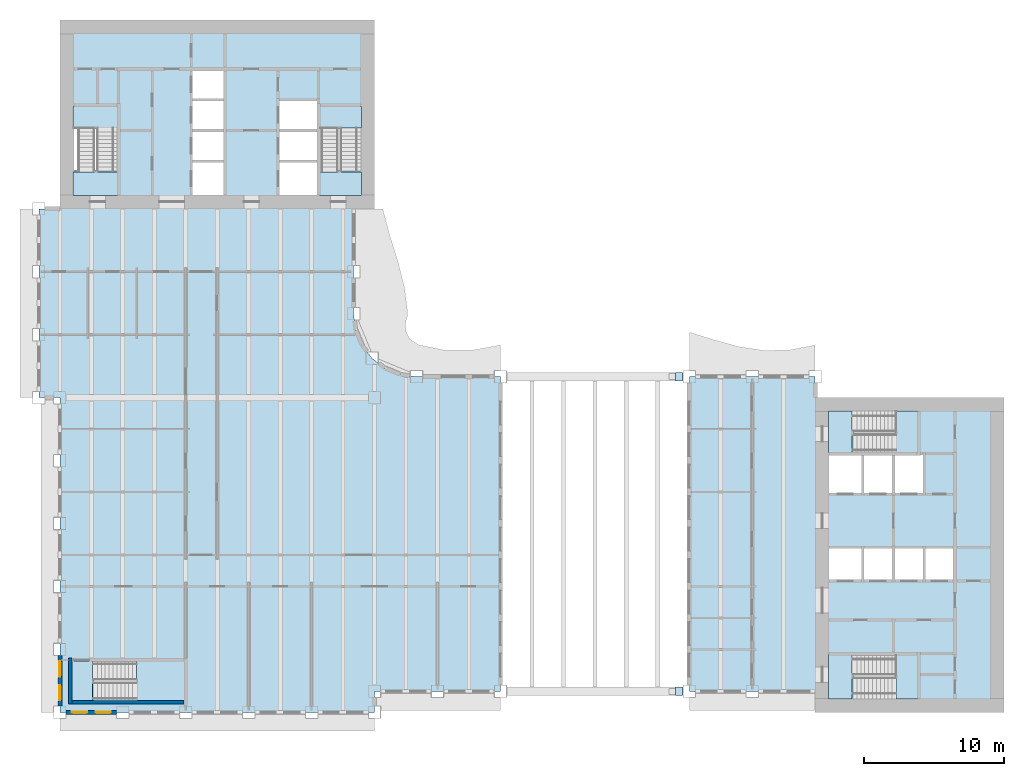
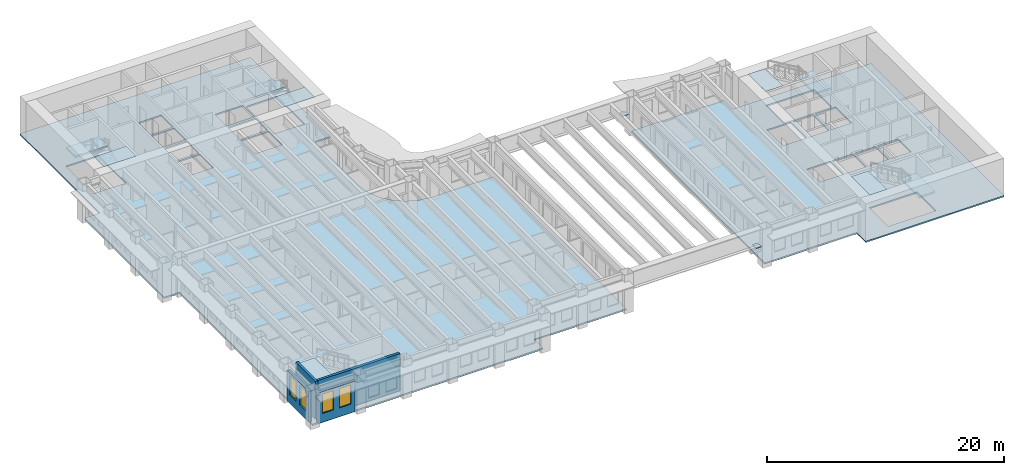
# One storey, part 2 of 13: 12 slabs, 4 walls, 4 windows, 2 plates, 4 openings, 5 elements without a shape of their own.
"""IFC4 building model written with IfcOpenShell, lengths in metres."""

from ifc_helpers import new_model, si_unit, direction, frame, frame_2d, origin, origin_2d, place, context, subcontext, project, spatial, polyline, rectangle, outline, extrude, material, layer, layer_set, type_object, element, fill, aggregate, save


model = new_model("IFC4")

# Units and contexts
model_context = context("Model", 3, precision=1e-05, world=origin(), true_north=direction((0.0, 1.0)))
body_context = subcontext(model_context, "Body", "Model", "MODEL_VIEW")
ifc_project = project(units=[si_unit("LENGTHUNIT", "METRE"), si_unit("AREAUNIT", "SQUARE_METRE"), si_unit("VOLUMEUNIT", "CUBIC_METRE"), si_unit("PLANEANGLEUNIT", "RADIAN"), si_unit("MASSUNIT", "GRAM", prefix="KILO")], contexts=[model_context])

# Site, building, storey
site_placement = place(None, origin())
site = spatial("IfcSite", under=ifc_project, at=site_placement, CompositionType="ELEMENT")
building_placement = place(site_placement, origin())
building = spatial("IfcBuilding", under=site, at=building_placement, Name="Sennacour Bend Tower", CompositionType="ELEMENT")
storey_placement = place(building_placement, frame((0.0, 0.0, 147.0)))
storey = spatial("IfcBuildingStorey", under=building, at=storey_placement, Name="L33", CompositionType="ELEMENT", Elevation=147.0)

# Plates
ifc_material_1 = material(Name="Steel ASTM A572 Grade 50", Category="steel")
ifc_layer_1 = layer(ifc_material_1, 0.0400390625, Name="Steel ASTM A572 Grade 50", Category="steel")
ifc_layer_set_1 = layer_set([ifc_layer_1], Name="Steel ASTM A572 Grade 50")
plate_type = type_object("IfcPlateType", Name="Bearing plate 500", PredefinedType="USERDEFINED", material=ifc_layer_set_1)
for number, where, z_axis, x_axis, name in (
    (1, (44.25, 1.5, 2.010009765625), (0.0, 0.0, 1.0), (1.0, 0.0, 0.0), "Bearing plate BRG1 001"),
    (2, (44.25, 24.0, 2.010009765625), (0.0, 0.0, 1.0), (1.0, 0.0, 0.0), "Bearing plate BRG1 002"),
):
    element("IfcPlate", number, at=place(storey_placement, frame(where, z_axis=z_axis, x_axis=x_axis)), inside=storey, type_object=plate_type, Name=name, ObjectType="BEARING PLATE", PredefinedType="USERDEFINED", context=body_context, shape_type="SweptSolid", body=[
        extrude(rectangle(XDim=0.5, YDim=0.60009765625, at=origin_2d()), origin(), (0.0, 0.0, 1.0), 0.0400390625),
    ])

# Slabs
ifc_material_2 = material(Name="Concrete C30/37", Category="concrete")
ifc_layer_2 = layer(ifc_material_2, 0.14990234375, Name="Concrete C30/37", Category="concrete")
ifc_layer_set_2 = layer_set([ifc_layer_2], Name="Concrete C30/37")
slab_type_1 = type_object("IfcSlabType", Name="Floor slab 150", PredefinedType="FLOOR", material=ifc_layer_set_2)
slab_1_placement = place(storey_placement, frame((0.0, 0.0, -0.14990234375)))
element("IfcSlab", 3, at=slab_1_placement, inside=storey, type_object=slab_type_1, Name="Floor slab L33-01", PredefinedType="FLOOR", context=body_context, shape_type="SweptSolid", body=[
    extrude(outline(polyline([(45.0, 24.0), (54.0, 24.0), (54.0, 22.5), (67.5, 22.5), (67.5, 0.0), (54.0, 0.0), (54.0, 1.5), (45.0, 1.5), (45.0, 24.0)]), holes=[polyline([(61.39990234375, 4.125), (56.72998046875, 4.125), (56.72998046875, 0.949951171875), (61.39990234375, 0.949951171875), (61.39990234375, 4.125)]), polyline([(57.300048828125, 11.699951171875), (55.0, 11.699951171875), (55.0, 9.5), (57.300048828125, 9.5), (57.300048828125, 11.699951171875)]), polyline([(59.5, 11.699951171875), (57.5, 11.699951171875), (57.5, 9.5), (59.5, 9.5), (59.5, 11.699951171875)]), polyline([(61.699951171875, 11.699951171875), (59.699951171875, 11.699951171875), (59.699951171875, 9.5), (61.699951171875, 9.5), (61.699951171875, 11.699951171875)]), polyline([(63.89990234375, 11.699951171875), (61.89990234375, 11.699951171875), (61.89990234375, 9.5), (63.89990234375, 9.5), (63.89990234375, 11.699951171875)]), polyline([(57.300048828125, 18.39990234375), (55.0, 18.39990234375), (55.0, 15.699951171875), (57.300048828125, 15.699951171875), (57.300048828125, 18.39990234375)]), polyline([(59.5, 18.39990234375), (57.5, 18.39990234375), (57.5, 15.699951171875), (59.5, 15.699951171875), (59.5, 18.39990234375)]), polyline([(61.699951171875, 15.699951171875), (61.699951171875, 18.39990234375), (59.699951171875, 18.39990234375), (59.699951171875, 15.699951171875), (61.699951171875, 15.699951171875)]), polyline([(61.39990234375, 18.574951171875), (61.39990234375, 21.550048828125), (56.72998046875, 21.550048828125), (56.72998046875, 18.574951171875), (61.39990234375, 18.574951171875)])]), origin(), (0.0, 0.0, 1.0), 0.14990234375),
])
slab_2_placement = place(storey_placement, frame((0.0, 0.0, -0.14990234375)))
element("IfcSlab", 4, at=slab_2_placement, inside=storey, type_object=slab_type_1, Name="Floor slab L33-02", PredefinedType="FLOOR", context=body_context, shape_type="SweptSolid", body=[
    extrude(outline(polyline([(31.5, 1.5), (22.5, 1.5), (22.5, 0.0), (0.0, 0.0), (0.0, 22.5), (-1.5, 22.5), (-1.5, 36.0), (0.0, 36.0), (0.0, 49.5), (22.5, 49.5), (22.5, 36.0), (21.0, 36.0), (21.0, 28.5), (21.1533203125, 27.335205078125), (21.602783203125, 26.25), (22.318115234375, 25.318115234375), (23.25, 24.602783203125), (24.335205078125, 24.1533203125), (25.5, 24.0), (31.5, 24.0), (31.5, 1.5)]), holes=[polyline([(8.800048828125, 3.5), (2.429931640625, 3.5), (2.429931640625, 0.949951171875), (8.800048828125, 0.949951171875), (8.800048828125, 3.5)]), polyline([(11.699951171875, 39.300048828125), (9.5, 39.300048828125), (9.5, 37.0), (11.699951171875, 37.0), (11.699951171875, 39.300048828125)]), polyline([(18.39990234375, 39.300048828125), (15.699951171875, 39.300048828125), (15.699951171875, 37.0), (18.39990234375, 37.0), (18.39990234375, 39.300048828125)]), polyline([(11.699951171875, 39.5), (11.699951171875, 41.5), (9.5, 41.5), (9.5, 39.5), (11.699951171875, 39.5)]), polyline([(18.39990234375, 39.5), (18.39990234375, 41.5), (15.699951171875, 41.5), (15.699951171875, 39.5), (18.39990234375, 39.5)]), polyline([(4.125, 43.39990234375), (0.949951171875, 43.39990234375), (0.949951171875, 38.72998046875), (4.125, 38.72998046875), (4.125, 43.39990234375)]), polyline([(21.550048828125, 43.39990234375), (18.574951171875, 43.39990234375), (18.574951171875, 38.72998046875), (21.550048828125, 38.72998046875), (21.550048828125, 43.39990234375)]), polyline([(11.699951171875, 43.699951171875), (9.5, 43.699951171875), (9.5, 41.699951171875), (11.699951171875, 41.699951171875), (11.699951171875, 43.699951171875)]), polyline([(18.39990234375, 41.699951171875), (18.39990234375, 43.699951171875), (15.699951171875, 43.699951171875), (15.699951171875, 41.699951171875), (18.39990234375, 41.699951171875)]), polyline([(11.699951171875, 43.89990234375), (11.699951171875, 45.89990234375), (9.5, 45.89990234375), (9.5, 43.89990234375), (11.699951171875, 43.89990234375)])]), origin(), (0.0, 0.0, 1.0), 0.14990234375),
])
ifc_material_3 = material(Name="Concrete C40/50", Category="concrete")
ifc_layer_3 = layer(ifc_material_3, 0.034912109375, Name="Concrete C40/50", Category="concrete")
ifc_layer_set_3 = layer_set([ifc_layer_3], Name="Concrete C40/50")
slab_type_2 = type_object("IfcSlabType", Name="Stair arrival nib 35", PredefinedType="FLOOR", material=ifc_layer_set_3)
slab_3_placement = place(storey_placement, frame((0.0, 0.0, 3.815185546875)))
element("IfcSlab", 5, at=slab_3_placement, inside=storey, type_object=slab_type_2, Name="L33 SA1 stair arrival nib", PredefinedType="FLOOR", context=body_context, shape_type="SweptSolid", body=[
    extrude(outline(polyline([(56.64208984375, 4.125), (54.949951171875, 4.125), (54.949951171875, 0.949951171875), (56.64208984375, 0.949951171875), (56.64208984375, 4.125)])), origin(), (0.0, 0.0, 1.0), 0.034912109375),
])
slab_4_placement = place(storey_placement, frame((0.0, 0.0, 3.815185546875)))
element("IfcSlab", 6, at=slab_4_placement, inside=storey, type_object=slab_type_2, Name="L33 SA2 stair arrival nib", PredefinedType="FLOOR", context=body_context, shape_type="SweptSolid", body=[
    extrude(outline(polyline([(56.64208984375, 21.550048828125), (54.949951171875, 21.550048828125), (54.949951171875, 18.574951171875), (56.64208984375, 18.574951171875), (56.64208984375, 21.550048828125)])), origin(), (0.0, 0.0, 1.0), 0.034912109375),
])
slab_5_placement = place(storey_placement, frame((0.0, 0.0, 3.815185546875)))
element("IfcSlab", 7, at=slab_5_placement, inside=storey, type_object=slab_type_2, Name="L33 SB1 stair arrival nib", PredefinedType="FLOOR", context=body_context, shape_type="SweptSolid", body=[
    extrude(outline(polyline([(0.949951171875, 38.64208984375), (0.949951171875, 36.949951171875), (4.125, 36.949951171875), (4.125, 38.64208984375), (0.949951171875, 38.64208984375)])), origin(), (0.0, 0.0, 1.0), 0.034912109375),
])
slab_6_placement = place(storey_placement, frame((0.0, 0.0, 3.815185546875)))
element("IfcSlab", 8, at=slab_6_placement, inside=storey, type_object=slab_type_2, Name="L33 SB2 stair arrival nib", PredefinedType="FLOOR", context=body_context, shape_type="SweptSolid", body=[
    extrude(outline(polyline([(18.574951171875, 38.64208984375), (18.574951171875, 36.949951171875), (21.550048828125, 36.949951171875), (21.550048828125, 38.64208984375), (18.574951171875, 38.64208984375)])), origin(), (0.0, 0.0, 1.0), 0.034912109375),
])
slab_7_placement = place(storey_placement, frame((0.0, 0.0, 3.815185546875)))
element("IfcSlab", 9, at=slab_7_placement, inside=storey, type_object=slab_type_2, Name="L33 SK1 stair arrival nib", PredefinedType="FLOOR", context=body_context, shape_type="SweptSolid", body=[
    extrude(outline(polyline([(2.342041015625, 3.675048828125), (0.800048828125, 3.675048828125), (0.800048828125, 0.800048828125), (2.342041015625, 0.800048828125), (2.342041015625, 3.675048828125)])), origin(), (0.0, 0.0, 1.0), 0.034912109375),
])

# Stair, slab
stair_type = type_object("IfcStairType", Name="ST-DOGLEG", PredefinedType="HALF_TURN_STAIR", material=ifc_material_3)
stair_1_placement = place(storey_placement, origin())
stair_1 = element("IfcStair", 10, at=stair_1_placement, inside=storey, type_object=stair_type, Name="L33 Exit stair A1", PredefinedType="HALF_TURN_STAIR")
ifc_layer_4 = layer(ifc_material_3, 0.199951171875, Name="Concrete C40/50", Category="concrete")
ifc_layer_set_4 = layer_set([ifc_layer_4], Name="Concrete C40/50")
slab_type_3 = type_object("IfcSlabType", Name="Stair landing 200", PredefinedType="LANDING", material=ifc_layer_set_4)
slab_8_placement = place(storey_placement, frame((0.0, 0.0, 1.800048828125)))
slab_8 = element("IfcSlab", 11, at=slab_8_placement, type_object=slab_type_3, Name="SA1 landing 1", PredefinedType="LANDING", context=body_context, shape_type="SweptSolid", body=[
    extrude(outline(polyline([(59.780029296875, 0.949951171875), (61.324951171875, 0.949951171875), (61.324951171875, 4.125), (59.780029296875, 4.125), (59.780029296875, 0.949951171875)])), origin(), (0.0, 0.0, 1.0), 0.199951171875),
])
aggregate(stair_1, [slab_8])

stair_2_placement = place(storey_placement, origin())
stair_2 = element("IfcStair", 12, at=stair_2_placement, inside=storey, type_object=stair_type, Name="L33 Exit stair A2", PredefinedType="HALF_TURN_STAIR")
slab_9_placement = place(storey_placement, frame((0.0, 0.0, 1.800048828125)))
slab_9 = element("IfcSlab", 13, at=slab_9_placement, type_object=slab_type_3, Name="SA2 landing 1", PredefinedType="LANDING", context=body_context, shape_type="SweptSolid", body=[
    extrude(outline(polyline([(59.780029296875, 18.574951171875), (61.324951171875, 18.574951171875), (61.324951171875, 21.550048828125), (59.780029296875, 21.550048828125), (59.780029296875, 18.574951171875)])), origin(), (0.0, 0.0, 1.0), 0.199951171875),
])
aggregate(stair_2, [slab_9])

stair_3_placement = place(storey_placement, origin())
stair_3 = element("IfcStair", 14, at=stair_3_placement, inside=storey, type_object=stair_type, Name="L33 Exit stair B1", PredefinedType="HALF_TURN_STAIR")
slab_10_placement = place(storey_placement, frame((0.0, 0.0, 1.800048828125)))
slab_10 = element("IfcSlab", 15, at=slab_10_placement, type_object=slab_type_3, Name="SB1 landing 1", PredefinedType="LANDING", context=body_context, shape_type="SweptSolid", body=[
    extrude(outline(polyline([(0.949951171875, 41.780029296875), (4.125, 41.780029296875), (4.125, 43.324951171875), (0.949951171875, 43.324951171875), (0.949951171875, 41.780029296875)])), origin(), (0.0, 0.0, 1.0), 0.199951171875),
])
aggregate(stair_3, [slab_10])

stair_4_placement = place(storey_placement, origin())
stair_4 = element("IfcStair", 16, at=stair_4_placement, inside=storey, type_object=stair_type, Name="L33 Exit stair B2", PredefinedType="HALF_TURN_STAIR")
slab_11_placement = place(storey_placement, frame((0.0, 0.0, 1.800048828125)))
slab_11 = element("IfcSlab", 17, at=slab_11_placement, type_object=slab_type_3, Name="SB2 landing 1", PredefinedType="LANDING", context=body_context, shape_type="SweptSolid", body=[
    extrude(outline(polyline([(18.574951171875, 41.780029296875), (21.550048828125, 41.780029296875), (21.550048828125, 43.324951171875), (18.574951171875, 43.324951171875), (18.574951171875, 41.780029296875)])), origin(), (0.0, 0.0, 1.0), 0.199951171875),
])
aggregate(stair_4, [slab_11])

stair_5_placement = place(storey_placement, origin())
stair_5 = element("IfcStair", 18, at=stair_5_placement, inside=storey, type_object=stair_type, Name="L33 Exit stair K1", PredefinedType="HALF_TURN_STAIR")
slab_12_placement = place(storey_placement, frame((0.0, 0.0, 1.800048828125)))
slab_12 = element("IfcSlab", 19, at=slab_12_placement, type_object=slab_type_3, Name="SK1 landing 1", PredefinedType="LANDING", context=body_context, shape_type="SweptSolid", body=[
    extrude(outline(polyline([(5.47998046875, 0.800048828125), (8.925048828125, 0.800048828125), (8.925048828125, 3.675048828125), (5.47998046875, 3.675048828125), (5.47998046875, 0.800048828125)])), origin(), (0.0, 0.0, 1.0), 0.199951171875),
])
aggregate(stair_5, [slab_12])

# Wall, openings, windows
ifc_material_4 = material(Name="Warm limestone cladding", Category="masonry")
ifc_layer_5 = layer(ifc_material_4, 0.050048828125, Name="Warm limestone cladding", Category="masonry")
ifc_material_5 = material(Name="Precast concrete C40/50", Category="concrete")
ifc_layer_6 = layer(ifc_material_5, 0.25, Name="Precast concrete C40/50", Category="concrete")
ifc_layer_set_5 = layer_set([ifc_layer_5, ifc_layer_6], Name="Precast concrete C40/50 with limestone cladding")
wall_type_1 = type_object("IfcWallType", Name="STONE-CLAD PRECAST SPANDREL 300", PredefinedType="STANDARD", material=ifc_layer_set_5)
wall_1_placement = place(storey_placement, frame((0.0, 4.050048828125, 0.0), z_axis=(0.0, 0.0, 1.0), x_axis=(0.0, -1.0, 0.0)))
wall_1 = element("IfcWall", 20, at=wall_1_placement, inside=storey, type_object=wall_type_1, Name="Stone spandrel and pier wall L33 23.04", PredefinedType="STANDARD", context=body_context, shape_type="SweptSolid", body=[
    extrude(rectangle(XDim=3.60009765625, YDim=0.300048828125, at=frame_2d((1.800048828125, 0.0))), origin(), (0.0, 0.0, 1.0), 3.14892578125),
])
opening_1_placement = place(wall_1_placement, frame((0.39990234375, 0.0, 0.89990234375)))
opening_1 = element("IfcOpeningElement", 21, at=opening_1_placement, cuts=wall_1, Name="Opening W19", PredefinedType="OPENING", context=body_context, shape_type="SweptSolid", body=[
    extrude(rectangle(XDim=1.10009765625, YDim=2.0, at=frame_2d((0.550048828125, 1.0))), frame((0.0, 0.16015625, 0.0), z_axis=(0.0, -1.0, 0.0), x_axis=(1.0, 0.0, 0.0)), (0.0, 0.0, 1.0), 0.320068359375),
])
opening_2_placement = place(wall_1_placement, frame((2.10009765625, 0.0, 0.89990234375)))
opening_2 = element("IfcOpeningElement", 22, at=opening_2_placement, cuts=wall_1, Name="Opening W19", PredefinedType="OPENING", context=body_context, shape_type="SweptSolid", body=[
    extrude(rectangle(XDim=1.10009765625, YDim=2.0, at=frame_2d((0.550048828125, 1.0))), frame((0.0, 0.16015625, 0.0), z_axis=(0.0, -1.0, 0.0), x_axis=(1.0, 0.0, 0.0)), (0.0, 0.0, 1.0), 0.320068359375),
])
ifc_material_6 = material(Name="Clear low-emissivity glass", Category="glass")
window_type = type_object("IfcWindowType", Name="WIN-RIBBON-1100x2000", PartitioningType="SINGLE_PANEL", PredefinedType="WINDOW", material=ifc_material_6)
window_1_placement = place(opening_1_placement, origin())
window_1 = element("IfcWindow", 23, at=window_1_placement, inside=storey, type_object=window_type, Name="Ribbon window L33 23.04.0", OverallHeight=2.0, OverallWidth=1.10009765625, PartitioningType="SINGLE_PANEL", PredefinedType="WINDOW", context=body_context, shape_type="SweptSolid", body=[
    extrude(rectangle(XDim=1.10009765625, YDim=2.0, at=frame_2d((0.550048828125, 1.0))), frame((0.0, 0.030029296875, 0.0), z_axis=(0.0, -1.0, 0.0), x_axis=(1.0, 0.0, 0.0)), (0.0, 0.0, 1.0), 0.06005859375),
])
fill(opening_1, window_1)
window_2_placement = place(opening_2_placement, origin())
window_2 = element("IfcWindow", 24, at=window_2_placement, inside=storey, type_object=window_type, Name="Ribbon window L33 23.04.1", OverallHeight=2.0, OverallWidth=1.10009765625, PartitioningType="SINGLE_PANEL", PredefinedType="WINDOW", context=body_context, shape_type="SweptSolid", body=[
    extrude(rectangle(XDim=1.10009765625, YDim=2.0, at=frame_2d((0.550048828125, 1.0))), frame((0.0, 0.030029296875, 0.0), z_axis=(0.0, -1.0, 0.0), x_axis=(1.0, 0.0, 0.0)), (0.0, 0.0, 1.0), 0.06005859375),
])
fill(opening_2, window_2)

wall_2_placement = place(storey_placement, frame((0.449951171875, 0.0, 0.0), z_axis=(0.0, 0.0, 1.0), x_axis=(1.0, 0.0, 0.0)))
wall_2 = element("IfcWall", 25, at=wall_2_placement, inside=storey, type_object=wall_type_1, Name="Stone spandrel and pier wall L33 24.00", PredefinedType="STANDARD", context=body_context, shape_type="SweptSolid", body=[
    extrude(rectangle(XDim=3.60009765625, YDim=0.300048828125, at=frame_2d((1.800048828125, 0.0))), origin(), (0.0, 0.0, 1.0), 3.14892578125),
])
opening_3_placement = place(wall_2_placement, frame((0.39990234375, 0.0, 0.89990234375)))
opening_3 = element("IfcOpeningElement", 26, at=opening_3_placement, cuts=wall_2, Name="Opening W19", PredefinedType="OPENING", context=body_context, shape_type="SweptSolid", body=[
    extrude(rectangle(XDim=1.10009765625, YDim=2.0, at=frame_2d((0.550048828125, 1.0))), frame((0.0, 0.16015625, 0.0), z_axis=(0.0, -1.0, 0.0), x_axis=(1.0, 0.0, 0.0)), (0.0, 0.0, 1.0), 0.320068359375),
])
opening_4_placement = place(wall_2_placement, frame((2.10009765625, 0.0, 0.89990234375)))
opening_4 = element("IfcOpeningElement", 27, at=opening_4_placement, cuts=wall_2, Name="Opening W19", PredefinedType="OPENING", context=body_context, shape_type="SweptSolid", body=[
    extrude(rectangle(XDim=1.10009765625, YDim=2.0, at=frame_2d((0.550048828125, 1.0))), frame((0.0, 0.16015625, 0.0), z_axis=(0.0, -1.0, 0.0), x_axis=(1.0, 0.0, 0.0)), (0.0, 0.0, 1.0), 0.320068359375),
])
window_3_placement = place(opening_3_placement, origin())
window_3 = element("IfcWindow", 28, at=window_3_placement, inside=storey, type_object=window_type, Name="Ribbon window L33 24.00.0", OverallHeight=2.0, OverallWidth=1.10009765625, PartitioningType="SINGLE_PANEL", PredefinedType="WINDOW", context=body_context, shape_type="SweptSolid", body=[
    extrude(rectangle(XDim=1.10009765625, YDim=2.0, at=frame_2d((0.550048828125, 1.0))), frame((0.0, 0.030029296875, 0.0), z_axis=(0.0, -1.0, 0.0), x_axis=(1.0, 0.0, 0.0)), (0.0, 0.0, 1.0), 0.06005859375),
])
fill(opening_3, window_3)
window_4_placement = place(opening_4_placement, origin())
window_4 = element("IfcWindow", 29, at=window_4_placement, inside=storey, type_object=window_type, Name="Ribbon window L33 24.00.1", OverallHeight=2.0, OverallWidth=1.10009765625, PartitioningType="SINGLE_PANEL", PredefinedType="WINDOW", context=body_context, shape_type="SweptSolid", body=[
    extrude(rectangle(XDim=1.10009765625, YDim=2.0, at=frame_2d((0.550048828125, 1.0))), frame((0.0, 0.030029296875, 0.0), z_axis=(0.0, -1.0, 0.0), x_axis=(1.0, 0.0, 0.0)), (0.0, 0.0, 1.0), 0.06005859375),
])
fill(opening_4, window_4)

# Walls
ifc_material_7 = material(Name="Concrete C60/75", Category="concrete")
ifc_layer_7 = layer(ifc_material_7, 0.25, Name="Concrete C60/75", Category="concrete")
ifc_layer_set_6 = layer_set([ifc_layer_7], Name="Concrete C60/75")
wall_type_2 = type_object("IfcWallType", Name="Stair wall 250", PredefinedType="SHEAR", material=ifc_layer_set_6)
wall_3_placement = place(storey_placement, frame((0.72509765625, 0.60009765625, 0.0), z_axis=(0.0, 0.0, 1.0), x_axis=(0.0, 1.0, 0.0)))
element("IfcWall", 30, at=wall_3_placement, inside=storey, type_object=wall_type_2, Name="P-L33-W003", PredefinedType="SHEAR", context=body_context, shape_type="SweptSolid", body=[
    extrude(rectangle(XDim=3.27490234375, YDim=0.25, at=frame_2d((1.637451171875, 0.0))), origin(), (0.0, 0.0, 1.0), 3.85009765625),
])
wall_4_placement = place(storey_placement, frame((0.85009765625, 0.72509765625, 0.0), z_axis=(0.0, 0.0, 1.0), x_axis=(1.0, 0.0, 0.0)))
element("IfcWall", 31, at=wall_4_placement, inside=storey, type_object=wall_type_2, Name="P-L33-W046", PredefinedType="SHEAR", context=body_context, shape_type="SweptSolid", body=[
    extrude(rectangle(XDim=8.02490234375, YDim=0.25, at=frame_2d((4.012451171875, 0.0))), origin(), (0.0, 0.0, 1.0), 3.85009765625),
])

save(model, "model.ifc")
